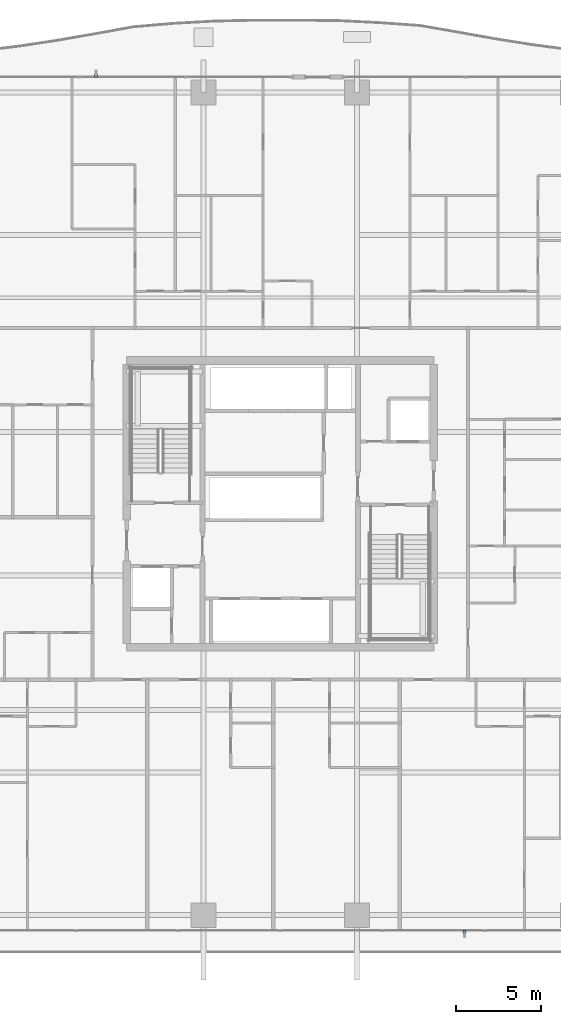
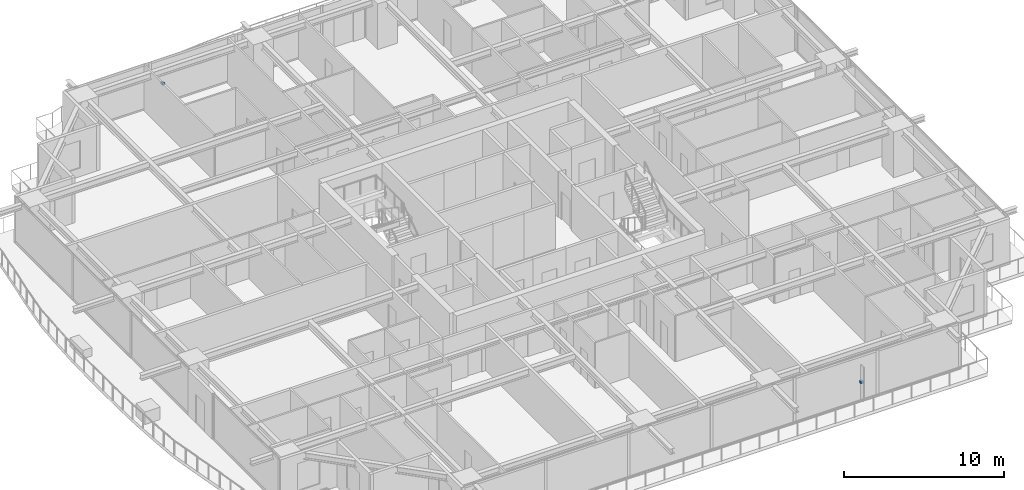
# One storey, part 29 of 36: 2 discrete accessories.
"""IFC4 building model written with IfcOpenShell, lengths in metres."""

from ifc_helpers import new_model, si_unit, direction, frame, origin, origin_2d, place, context, subcontext, project, spatial, rectangle, extrude, source, transform, mapped, material, type_object, element, save


model = new_model("IFC4")

# Units and contexts
model_context = context("Model", 3, precision=1e-05, world=origin(), true_north=direction((0.0, 1.0)))
body_context = subcontext(model_context, "Body", "Model", "MODEL_VIEW")
ifc_project = project(units=[si_unit("LENGTHUNIT", "METRE"), si_unit("AREAUNIT", "SQUARE_METRE"), si_unit("VOLUMEUNIT", "CUBIC_METRE"), si_unit("PLANEANGLEUNIT", "RADIAN"), si_unit("MASSUNIT", "GRAM", prefix="KILO")], contexts=[model_context])

# Site, building, storey
site_placement = place(None, origin())
site = spatial("IfcSite", under=ifc_project, at=site_placement, CompositionType="ELEMENT")
building_placement = place(site_placement, origin())
building = spatial("IfcBuilding", under=site, at=building_placement, Name="Serunith Strait Residences", CompositionType="ELEMENT")
storey_placement = place(building_placement, frame((0.0, 0.0, 86.699951171875)))
storey = spatial("IfcBuildingStorey", under=building, at=storey_placement, Name="L21", CompositionType="ELEMENT", Elevation=86.699951171875)

# Discrete accessories
ifc_material = material(Name="Stainless Steel Facade Cleat Bracket", Category="steel")
discrete_accessory_type = type_object("IfcDiscreteAccessoryType", Name="ACC-FIN-BRACKET", PredefinedType="USERDEFINED", material=ifc_material)
shared_shape = source(origin(), body_context, "Body", "SweptSolid", [
    extrude(rectangle(XDim=0.179931640625, YDim=0.219970703125, at=origin_2d()), origin(), (0.0, 0.0, 1.0), 0.179931640625),
])
for number, where, z_axis, x_axis, name in (
    (1, (43.199951171875, 0.1201171875, 1.41015625), (0.0, 0.0, 1.0), (1.0, 0.0, 0.0), "L21 Solar Fin Cleat Bracket S"),
    (2, (21.60009765625, 50.280029296875, 1.41015625), (0.0, 0.0, 1.0), (1.0, 0.0, 0.0), "L21 Solar Fin Cleat Bracket N"),
):
    element("IfcDiscreteAccessory", number, at=place(storey_placement, frame(where, z_axis=z_axis, x_axis=x_axis)), inside=storey, type_object=discrete_accessory_type, Name=name, ObjectType="BRACKET", PredefinedType="USERDEFINED", context=body_context, shape_type="MappedRepresentation", body=[
        mapped(shared_shape, transform((0.0, 0.0, 0.0), scale=1.0)),
    ])

save(model, "model.ifc")
